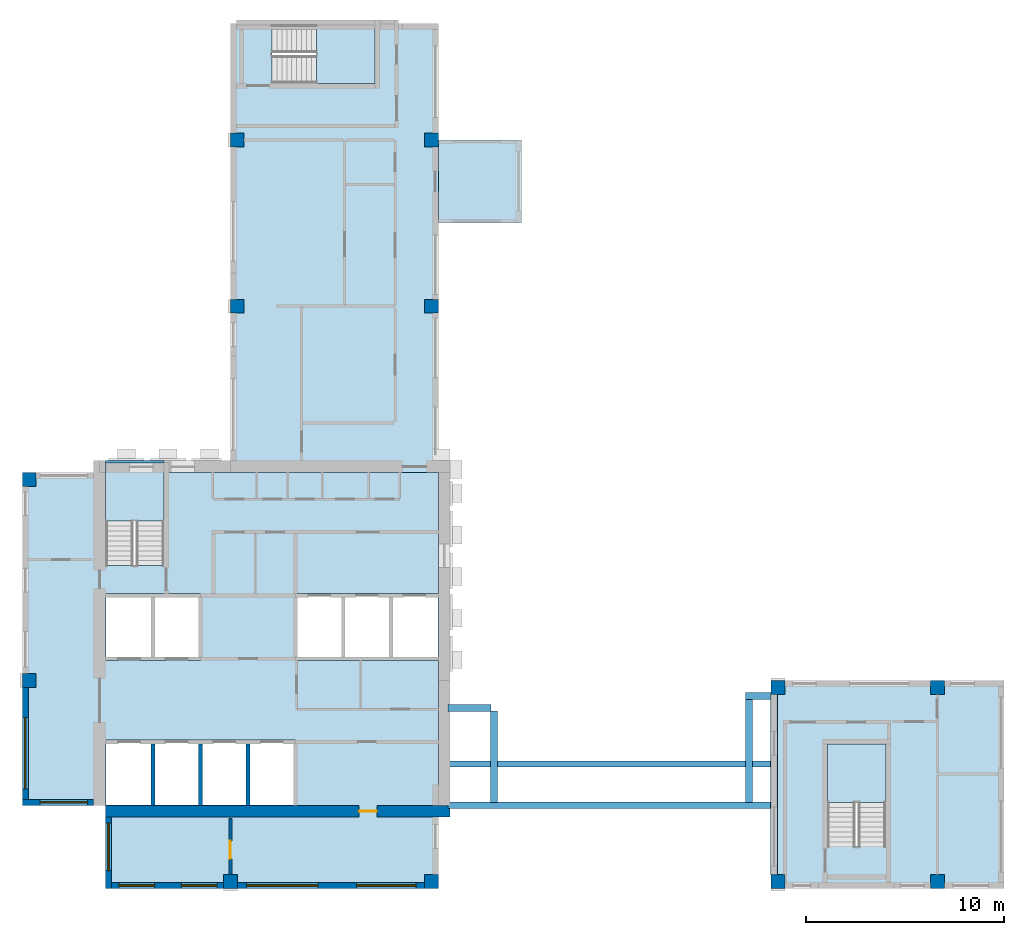
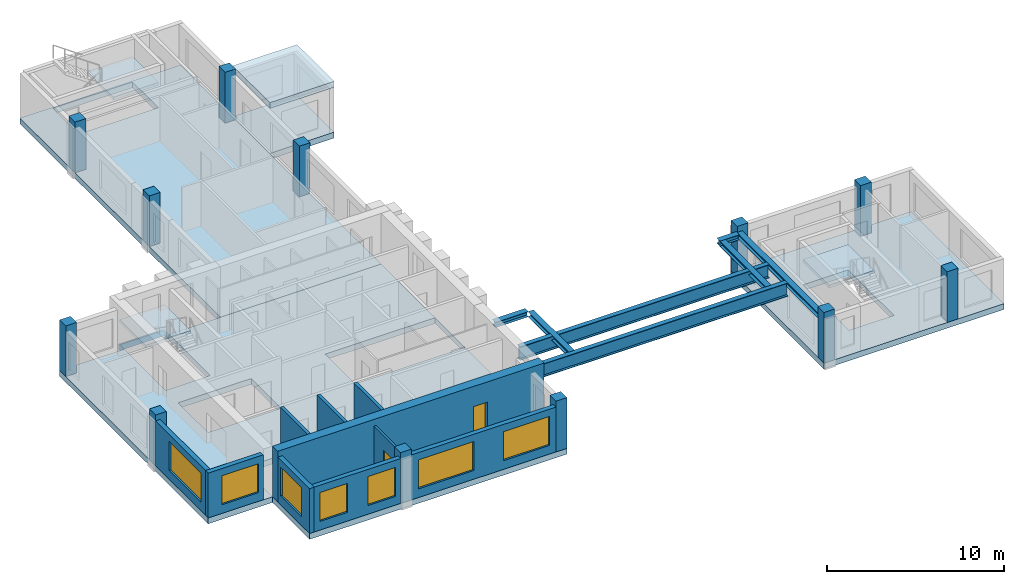
# One storey, part 1 of 8: 12 columns, 10 walls, 9 slabs, 7 beams, 7 windows, 2 doors, 9 openings, 3 elements without a shape of their own.
"""IFC4 building model written with IfcOpenShell, lengths in metres."""

from ifc_helpers import new_model, si_unit, direction, frame, frame_2d, origin, origin_2d, place, context, subcontext, project, spatial, polyline, rectangle, i_section, outline, extrude, source, transform, mapped, material, layer, layer_set, material_profile, profile_set, type_object, element, fill, aggregate, save


model = new_model("IFC4")

# Units and contexts
model_context = context("Model", 3, precision=1e-05, world=origin(), true_north=direction((0.0, 1.0)))
body_context = subcontext(model_context, "Body", "Model", "MODEL_VIEW")
ifc_project = project(units=[si_unit("LENGTHUNIT", "METRE"), si_unit("AREAUNIT", "SQUARE_METRE"), si_unit("VOLUMEUNIT", "CUBIC_METRE"), si_unit("PLANEANGLEUNIT", "RADIAN"), si_unit("MASSUNIT", "GRAM", prefix="KILO")], contexts=[model_context])

# Site, building, storey
site_placement = place(None, origin())
site = spatial("IfcSite", under=ifc_project, at=site_placement, CompositionType="ELEMENT")
building_placement = place(site_placement, origin())
building = spatial("IfcBuilding", under=site, at=building_placement, Name="Aurelian Terraces", CompositionType="ELEMENT")
storey_placement = place(building_placement, frame((0.0, 0.0, 302.0)))
storey = spatial("IfcBuildingStorey", under=building, at=storey_placement, Name="L69", CompositionType="ELEMENT", Elevation=302.0)

# Columns
ifc_material_1 = material(Name="Concrete fc' 55 MPa", Category="concrete")
ifc_material_profile_1 = material_profile(ifc_material_1, rectangle(XDim=0.7, YDim=0.7, at=origin_2d()))
ifc_profile_set_1 = profile_set([ifc_material_profile_1], Name="Concrete fc' 55 MPa")
column_type = type_object("IfcColumnType", Name="RC COLUMN 700X700 FC55", PredefinedType="COLUMN", material=ifc_profile_set_1)
shared_shape_1 = source(origin(), body_context, "Body", "SweptSolid", [
    extrude(rectangle(XDim=0.7, YDim=0.7, at=origin_2d()), origin(), (0.0, 0.0, 1.0), 3.5),
])
for number, where, z_axis, x_axis, name in (
    (1, (10.5, 0.35, 0.0), (0.0, 0.0, 1.0), (1.0, 0.0, 0.0), "Column 2/A L69"),
    (2, (20.65, 0.35, 0.0), (0.0, 0.0, 1.0), (1.0, 0.0, 0.0), "Column 3/A L69"),
    (3, (38.15, 0.35, 0.0), (0.0, 0.0, 1.0), (1.0, 0.0, 0.0), "Column 5/A L69"),
    (4, (46.2, 0.35, 0.0), (0.0, 0.0, 1.0), (1.0, 0.0, 0.0), "Column 6/A L69"),
    (5, (0.35, 10.5, 0.0), (0.0, 0.0, 1.0), (1.0, 0.0, 0.0), "Column 1/B L69"),
    (6, (38.15, 10.15, 0.0), (0.0, 0.0, 1.0), (1.0, 0.0, 0.0), "Column 5/B L69"),
    (7, (46.2, 10.15, 0.0), (0.0, 0.0, 1.0), (1.0, 0.0, 0.0), "Column 6/B L69"),
    (8, (0.35, 20.65, 0.0), (0.0, 0.0, 1.0), (1.0, 0.0, 0.0), "Column 1/C L69"),
    (9, (10.85, 29.4, 0.0), (0.0, 0.0, 1.0), (1.0, 0.0, 0.0), "Column 2/D L69"),
    (10, (20.65, 29.4, 0.0), (0.0, 0.0, 1.0), (1.0, 0.0, 0.0), "Column 3/D L69"),
    (11, (10.85, 37.8, 0.0), (0.0, 0.0, 1.0), (1.0, 0.0, 0.0), "Column 2/E L69"),
    (12, (20.65, 37.8, 0.0), (0.0, 0.0, 1.0), (1.0, 0.0, 0.0), "Column 3/E L69"),
):
    element("IfcColumn", number, at=place(storey_placement, frame(where, z_axis=z_axis, x_axis=x_axis)), inside=storey, type_object=column_type, Name=name, PredefinedType="COLUMN", context=body_context, shape_type="MappedRepresentation", body=[
        mapped(shared_shape_1, transform((0.0, 0.0, 0.0), scale=1.0)),
    ])

# Beams
ifc_material_2 = material(Name="Steel ASTM A992 Gr50", Category="steel")
ifc_material_profile_2 = material_profile(ifc_material_2, i_section(OverallWidth=0.3688, OverallDepth=0.3561, WebThickness=0.0112, FlangeThickness=0.018, at=origin_2d()))
ifc_profile_set_2 = profile_set([ifc_material_profile_2], Name="Steel ASTM A992 Gr50")
beam_type_1 = type_object("IfcBeamType", Name="PC904 PORTAL CHORD W14X90", PredefinedType="BEAM", material=ifc_profile_set_2)
beam_1_placement = place(storey_placement, frame((23.8156, 4.3378, 2.9218), z_axis=(0.0, 1.0, 0.0), x_axis=(-1.0, 0.0, 0.0)))
element("IfcBeam", 13, at=beam_1_placement, inside=storey, type_object=beam_type_1, Name="Link leg beam L70", PredefinedType="BEAM", context=body_context, shape_type="SweptSolid", body=[
    extrude(i_section(OverallWidth=0.3688, OverallDepth=0.3561, WebThickness=0.0112, FlangeThickness=0.018, at=origin_2d()), origin(), (0.0, 0.0, 1.0), 4.6134),
])
beam_2_placement = place(storey_placement, frame((36.6844, 4.3378, 2.9218), z_axis=(0.0, 1.0, 0.0), x_axis=(-1.0, 0.0, 0.0)))
element("IfcBeam", 14, at=beam_2_placement, inside=storey, type_object=beam_type_1, Name="Link pod leg beam L70", PredefinedType="BEAM", context=body_context, shape_type="SweptSolid", body=[
    extrude(i_section(OverallWidth=0.3688, OverallDepth=0.3561, WebThickness=0.0112, FlangeThickness=0.018, at=origin_2d()), origin(), (0.0, 0.0, 1.0), 5.2134),
])
ifc_material_profile_3 = material_profile(ifc_material_2, i_section(OverallWidth=0.3077, OverallDepth=0.9268, WebThickness=0.0194, FlangeThickness=0.032, at=origin_2d()))
ifc_profile_set_3 = profile_set([ifc_material_profile_3], Name="Steel ASTM A992 Gr50")
beam_type_2 = type_object("IfcBeamType", Name="PC903 PORTAL CHORD W36X194", PredefinedType="BEAM", material=ifc_profile_set_3)
shared_shape_2 = source(origin(), body_context, "Body", "SweptSolid", [
    extrude(i_section(OverallWidth=0.3077, OverallDepth=0.9268, WebThickness=0.0194, FlangeThickness=0.032, at=origin_2d()), origin(), (0.0, 0.0, 1.0), 16.2856),
])
for number, where, z_axis, x_axis, name in (
    (15, (21.5, 4.2039, 2.6364), (1.0, 0.0, 0.0), (0.0, 1.0, 0.0), "Link girder south L70"),
    (16, (21.5, 6.2961, 2.6364), (1.0, 0.0, 0.0), (0.0, 1.0, 0.0), "Link girder north L70"),
):
    element("IfcBeam", number, at=place(storey_placement, frame(where, z_axis=z_axis, x_axis=x_axis)), inside=storey, type_object=beam_type_2, Name=name, PredefinedType="BEAM", context=body_context, shape_type="MappedRepresentation", body=[
        mapped(shared_shape_2, transform((0.0, 0.0, 0.0), scale=1.0)),
    ])
shared_shape_3 = source(origin(), body_context, "Body", "SweptSolid", [
    extrude(i_section(OverallWidth=0.3688, OverallDepth=0.3561, WebThickness=0.0112, FlangeThickness=0.018, at=origin_2d()), origin(), (0.0, 0.0, 1.0), 9.14),
])
beam_3_placement = place(storey_placement, frame((37.95, 0.68, 2.9218), z_axis=(0.0, 1.0, 0.0), x_axis=(-1.0, 0.0, 0.0)))
element("IfcBeam", 17, at=beam_3_placement, inside=storey, type_object=beam_type_1, Name="Link edge beam L70", PredefinedType="BEAM", context=body_context, shape_type="MappedRepresentation", body=[
    mapped(shared_shape_3, transform((0.0, 0.0, 0.0), scale=1.0)),
])
shared_shape_4 = source(origin(), body_context, "Body", "SweptSolid", [
    extrude(i_section(OverallWidth=0.3688, OverallDepth=0.3561, WebThickness=0.0112, FlangeThickness=0.018, at=origin_2d()), origin(), (0.0, 0.0, 1.0), 2.1512),
])
beam_4_placement = place(storey_placement, frame((21.5, 9.1156, 2.9218), z_axis=(1.0, 0.0, 0.0), x_axis=(0.0, 1.0, 0.0)))
element("IfcBeam", 18, at=beam_4_placement, inside=storey, type_object=beam_type_1, Name="Link leg cross beam L70", PredefinedType="BEAM", context=body_context, shape_type="MappedRepresentation", body=[
    mapped(shared_shape_4, transform((0.0, 0.0, 0.0), scale=1.0)),
])
shared_shape_5 = source(origin(), body_context, "Body", "SweptSolid", [
    extrude(i_section(OverallWidth=0.3688, OverallDepth=0.3561, WebThickness=0.0112, FlangeThickness=0.018, at=origin_2d()), origin(), (0.0, 0.0, 1.0), 1.2656),
])
beam_5_placement = place(storey_placement, frame((36.52, 9.7156, 2.9218), z_axis=(1.0, 0.0, 0.0), x_axis=(0.0, 1.0, 0.0)))
element("IfcBeam", 19, at=beam_5_placement, inside=storey, type_object=beam_type_1, Name="Link pod leg cross beam L70", PredefinedType="BEAM", context=body_context, shape_type="MappedRepresentation", body=[
    mapped(shared_shape_5, transform((0.0, 0.0, 0.0), scale=1.0)),
])

# Slabs
ifc_material_3 = material(Name="Concrete fc' 40 MPa", Category="concrete")
ifc_layer_1 = layer(ifc_material_3, 0.4)
ifc_layer_set_1 = layer_set([ifc_layer_1], Name="PT FLAT PLATE 400")
slab_type_1 = type_object("IfcSlabType", Name="PT FLAT PLATE 400", PredefinedType="FLOOR", material=ifc_layer_set_1)
shared_shape_6 = source(origin(), body_context, "Body", "SweptSolid", [
    extrude(outline(polyline([(10.5, 43.68), (14.7, 43.68), (16.8, 43.68), (21.0, 43.68), (21.0, 21.0), (10.5, 21.0), (10.5, 43.68)]), holes=[polyline([(17.79, 43.59), (12.61, 43.59), (12.61, 40.66), (17.79, 40.66), (17.79, 43.59)])]), origin(), (0.0, 0.0, 1.0), 0.4),
])
slab_1_placement = place(storey_placement, frame((0.0, 0.0, -0.4)))
element("IfcSlab", 20, at=slab_1_placement, inside=storey, type_object=slab_type_1, Name="Floor slab W L69", PredefinedType="FLOOR", context=body_context, shape_type="MappedRepresentation", body=[
    mapped(shared_shape_6, transform((0.0, 0.0, 0.0), scale=1.0)),
])
shared_shape_7 = source(origin(), body_context, "Body", "SweptSolid", [
    extrude(outline(polyline([(4.2, 21.0), (4.2, 21.6), (7.15, 21.6), (7.15, 21.0), (7.14, 21.0), (7.14, 21.49), (4.21, 21.49), (4.21, 21.0), (4.2, 21.0)])), origin(), (0.0, 0.0, 1.0), 0.4),
])
slab_2_placement = place(storey_placement, frame((0.0, 0.0, -0.4)))
element("IfcSlab", 21, at=slab_2_placement, inside=storey, type_object=slab_type_1, Name="Floor slab W2 L69", PredefinedType="FLOOR", context=body_context, shape_type="MappedRepresentation", body=[
    mapped(shared_shape_7, transform((0.0, 0.0, 0.0), scale=1.0)),
])
shared_shape_8 = source(origin(), body_context, "Body", "SweptSolid", [
    extrude(outline(polyline([(4.2, 4.2), (0.0, 4.2), (0.0, 10.5), (0.0, 21.0), (4.21, 21.0), (4.21, 16.31), (7.14, 16.31), (7.14, 21.0), (21.0, 21.0), (21.0, 10.5), (21.0, 0.0), (4.2, 0.0), (4.2, 4.2)]), holes=[polyline([(13.81, 14.89), (13.81, 11.51), (20.99, 11.51), (20.99, 14.89), (13.81, 14.89)]), polyline([(4.21, 7.49), (4.21, 4.21), (13.79, 4.21), (13.79, 7.49), (4.21, 7.49)]), polyline([(8.99, 11.51), (8.99, 14.89), (4.21, 14.89), (4.21, 11.51), (8.99, 11.51)])]), origin(), (0.0, 0.0, 1.0), 0.4),
])
slab_3_placement = place(storey_placement, frame((0.0, 0.0, -0.4)))
element("IfcSlab", 22, at=slab_3_placement, inside=storey, type_object=slab_type_1, Name="Floor slab S L69", PredefinedType="FLOOR", context=body_context, shape_type="MappedRepresentation", body=[
    mapped(shared_shape_8, transform((0.0, 0.0, 0.0), scale=1.0)),
])
shared_shape_9 = source(origin(), body_context, "Body", "SweptSolid", [
    extrude(outline(polyline([(37.8, 10.5), (49.56, 10.5), (49.56, 6.3), (49.56, 4.2), (49.56, 0.0), (37.8, 0.0), (37.8, 10.5)]), holes=[polyline([(40.66, 2.11), (43.59, 2.11), (43.59, 7.29), (40.66, 7.29), (40.66, 2.11)])]), origin(), (0.0, 0.0, 1.0), 0.4),
])
slab_4_placement = place(storey_placement, frame((0.0, 0.0, -0.4)))
element("IfcSlab", 23, at=slab_4_placement, inside=storey, type_object=slab_type_1, Name="Floor slab S2 L69", PredefinedType="FLOOR", context=body_context, shape_type="MappedRepresentation", body=[
    mapped(shared_shape_9, transform((0.0, 0.0, 0.0), scale=1.0)),
])
ifc_layer_2 = layer(ifc_material_3, 0.41)
ifc_layer_set_2 = layer_set([ifc_layer_2], Name="Box floor 410")
slab_type_2 = type_object("IfcSlabType", Name="Box floor 410", PredefinedType="NOTDEFINED", material=ifc_layer_set_2)
shared_shape_10 = source(origin(), body_context, "Body", "SweptSolid", [
    extrude(outline(polyline([(25.2, 33.6), (25.2, 37.8), (21.0, 37.8), (21.0, 33.6), (25.2, 33.6)])), origin(), (0.0, 0.0, 1.0), 0.41),
])
slab_5_placement = place(storey_placement, frame((0.0, 0.0, -0.41)))
element("IfcSlab", 24, at=slab_5_placement, inside=storey, type_object=slab_type_2, Name="Box floor L69 J90", PredefinedType="NOTDEFINED", context=body_context, shape_type="MappedRepresentation", body=[
    mapped(shared_shape_10, transform((0.0, 0.0, 0.0), scale=1.0)),
])
ifc_layer_3 = layer(ifc_material_3, 0.4)
ifc_layer_set_3 = layer_set([ifc_layer_3], Name="Box roof 400")
slab_type_3 = type_object("IfcSlabType", Name="Box roof 400", PredefinedType="ROOF", material=ifc_layer_set_3)
shared_shape_11 = source(origin(), body_context, "Body", "SweptSolid", [
    extrude(outline(polyline([(25.2, 33.6), (25.2, 37.8), (21.0, 37.8), (21.0, 33.6), (25.2, 33.6)])), origin(), (0.0, 0.0, 1.0), 0.4),
])
slab_6_placement = place(storey_placement, frame((0.0, 0.0, 3.1)))
element("IfcSlab", 25, at=slab_6_placement, inside=storey, type_object=slab_type_3, Name="Box roof J90", PredefinedType="ROOF", context=body_context, shape_type="MappedRepresentation", body=[
    mapped(shared_shape_11, transform((0.0, 0.0, 0.0), scale=1.0)),
])

# Stair, slab
stair_type = type_object("IfcStairType", Name="Stair 1400", PredefinedType="HALF_TURN_STAIR", material=ifc_material_3)
stair_1_placement = place(storey_placement, origin())
stair_1 = element("IfcStair", 26, at=stair_1_placement, inside=storey, type_object=stair_type, Name="L69 S1", PredefinedType="HALF_TURN_STAIR")
ifc_layer_4 = layer(ifc_material_3, 0.2)
ifc_layer_set_4 = layer_set([ifc_layer_4], Name="Stair landing 200")
slab_type_4 = type_object("IfcSlabType", Name="Stair landing 200", PredefinedType="LANDING", material=ifc_layer_set_4)
shared_shape_12 = source(origin(), body_context, "Body", "SweptSolid", [
    extrude(outline(polyline([(7.15, 18.55), (7.15, 21.5), (4.2, 21.5), (4.2, 18.55), (7.15, 18.55)])), origin(), (0.0, 0.0, 1.0), 0.2),
])
slab_7_placement = place(storey_placement, frame((0.0, 0.0, 1.55)))
slab_7 = element("IfcSlab", 27, at=slab_7_placement, type_object=slab_type_4, Name="S1 landing 1", PredefinedType="LANDING", context=body_context, shape_type="MappedRepresentation", body=[
    mapped(shared_shape_12, transform((0.0, 0.0, 0.0), scale=1.0)),
])
aggregate(stair_1, [slab_7])

stair_2_placement = place(storey_placement, origin())
stair_2 = element("IfcStair", 28, at=stair_2_placement, inside=storey, type_object=stair_type, Name="L69 S2", PredefinedType="HALF_TURN_STAIR")
shared_shape_13 = source(origin(), body_context, "Body", "SweptSolid", [
    extrude(outline(polyline([(43.6, 4.35), (43.6, 7.3), (40.65, 7.3), (40.65, 4.35), (43.6, 4.35)])), origin(), (0.0, 0.0, 1.0), 0.2),
])
slab_8_placement = place(storey_placement, frame((0.0, 0.0, 1.55)))
slab_8 = element("IfcSlab", 29, at=slab_8_placement, type_object=slab_type_4, Name="S2 landing 1", PredefinedType="LANDING", context=body_context, shape_type="MappedRepresentation", body=[
    mapped(shared_shape_13, transform((0.0, 0.0, 0.0), scale=1.0)),
])
aggregate(stair_2, [slab_8])

stair_3_placement = place(storey_placement, origin())
stair_3 = element("IfcStair", 30, at=stair_3_placement, inside=storey, type_object=stair_type, Name="L69 S3U", PredefinedType="HALF_TURN_STAIR")
shared_shape_14 = source(origin(), body_context, "Body", "SweptSolid", [
    extrude(outline(polyline([(14.85, 40.65), (17.8, 40.65), (17.8, 43.6), (14.85, 43.6), (14.85, 40.65)])), origin(), (0.0, 0.0, 1.0), 0.2),
])
slab_9_placement = place(storey_placement, frame((0.0, 0.0, 1.55)))
slab_9 = element("IfcSlab", 31, at=slab_9_placement, type_object=slab_type_4, Name="S3U landing 1", PredefinedType="LANDING", context=body_context, shape_type="MappedRepresentation", body=[
    mapped(shared_shape_14, transform((0.0, 0.0, 0.0), scale=1.0)),
])
aggregate(stair_3, [slab_9])

# Wall, opening, door
ifc_layer_5 = layer(ifc_material_1, 0.6)
ifc_layer_set_5 = layer_set([ifc_layer_5], Name="CORE WALL 600 FC55")
wall_type_1 = type_object("IfcWallType", Name="CORE WALL 600 FC55", PredefinedType="SHEAR", material=ifc_layer_set_5)
shared_shape_15 = source(origin(), body_context, "Body", "SweptSolid", [
    extrude(rectangle(XDim=17.4, YDim=0.6, at=frame_2d((8.7, 0.0))), origin(), (0.0, 0.0, 1.0), 3.5),
])
wall_1_placement = place(storey_placement, frame((4.2, 3.9, 0.0), z_axis=(0.0, 0.0, 1.0), x_axis=(1.0, 0.0, 0.0)))
wall_1 = element("IfcWall", 32, at=wall_1_placement, inside=storey, type_object=wall_type_1, Name="Core wall S L69", PredefinedType="SHEAR", context=body_context, shape_type="MappedRepresentation", body=[
    mapped(shared_shape_15, transform((0.0, 0.0, 0.0), scale=1.0)),
])
shared_shape_16 = source(origin(), body_context, "Body", "SweptSolid", [
    extrude(rectangle(XDim=0.9, YDim=2.1, at=frame_2d((0.45, 1.05))), frame((0.0, 0.31, 0.0), z_axis=(0.0, -1.0, 0.0), x_axis=(1.0, 0.0, 0.0)), (0.0, 0.0, 1.0), 0.62),
])
opening_1_placement = place(wall_1_placement, frame((12.8, 0.0, 0.0)))
opening_1 = element("IfcOpeningElement", 33, at=opening_1_placement, cuts=wall_1, Name="Opening 67230", PredefinedType="OPENING", context=body_context, shape_type="MappedRepresentation", body=[
    mapped(shared_shape_16, transform((0.0, 0.0, 0.0), scale=1.0)),
])
ifc_material_4 = material(Name="Steel door leaf", Category="steel")
door_type_1 = type_object("IfcDoorType", Name="Core service door 900x2100", OperationType="SINGLE_SWING_LEFT", PredefinedType="DOOR", material=ifc_material_4)
shared_shape_17 = source(origin(), body_context, "Body", "SweptSolid", [
    extrude(rectangle(XDim=0.9, YDim=2.1, at=frame_2d((0.45, 1.05))), frame((0.0, 0.025, 0.0), z_axis=(0.0, -1.0, 0.0), x_axis=(1.0, 0.0, 0.0)), (0.0, 0.0, 1.0), 0.05),
])
door_1_placement = place(opening_1_placement, origin())
door_1 = element("IfcDoor", 34, at=door_1_placement, inside=storey, type_object=door_type_1, Name="Core door 67230", OperationType="SINGLE_SWING_LEFT", OverallHeight=2.1, OverallWidth=0.9, PredefinedType="DOOR", context=body_context, shape_type="MappedRepresentation", body=[
    mapped(shared_shape_17, transform((0.0, 0.0, 0.0), scale=1.0)),
])
fill(opening_1, door_1)

# Wall, opening, window
ifc_material_5 = material(Name="Terracotta rainscreen cladding", Category="masonry")
ifc_layer_6 = layer(ifc_material_5, 0.3)
ifc_layer_set_6 = layer_set([ifc_layer_6], Name="EW-300")
wall_type_2 = type_object("IfcWallType", Name="EW-300", PredefinedType="STANDARD", material=ifc_layer_set_6)
shared_shape_18 = source(origin(), body_context, "Body", "SweptSolid", [
    extrude(rectangle(XDim=3.6, YDim=0.3, at=frame_2d((1.8, 0.0))), origin(), (0.0, 0.0, 1.0), 3.1),
])
wall_2_placement = place(storey_placement, frame((0.0, 4.35, 0.0), z_axis=(0.0, 0.0, 1.0), x_axis=(1.0, 0.0, 0.0)))
wall_2 = element("IfcWall", 35, at=wall_2_placement, inside=storey, type_object=wall_type_2, Name="External wall L69 F11.19", PredefinedType="STANDARD", context=body_context, shape_type="MappedRepresentation", body=[
    mapped(shared_shape_18, transform((0.0, 0.0, 0.0), scale=1.0)),
])
shared_shape_19 = source(origin(), body_context, "Body", "SweptSolid", [
    extrude(rectangle(XDim=2.4, YDim=2.0, at=frame_2d((1.2, 1.0))), frame((0.0, 0.16, 0.0), z_axis=(0.0, -1.0, 0.0), x_axis=(1.0, 0.0, 0.0)), (0.0, 0.0, 1.0), 0.32),
])
opening_2_placement = place(wall_2_placement, frame((0.9, 0.0, 0.6)))
opening_2 = element("IfcOpeningElement", 36, at=opening_2_placement, cuts=wall_2, Name="Opening W2420", PredefinedType="OPENING", context=body_context, shape_type="MappedRepresentation", body=[
    mapped(shared_shape_19, transform((0.0, 0.0, 0.0), scale=1.0)),
])
ifc_material_6 = material(Name="Clear glazing", Category="glass")
window_type_1 = type_object("IfcWindowType", Name="W-2400x2000", PartitioningType="SINGLE_PANEL", PredefinedType="WINDOW", material=ifc_material_6)
shared_shape_20 = source(origin(), body_context, "Body", "SweptSolid", [
    extrude(rectangle(XDim=2.4, YDim=2.0, at=frame_2d((1.2, 1.0))), frame((0.0, 0.03, 0.0), z_axis=(0.0, -1.0, 0.0), x_axis=(1.0, 0.0, 0.0)), (0.0, 0.0, 1.0), 0.06),
])
window_1_placement = place(opening_2_placement, origin())
window_1 = element("IfcWindow", 37, at=window_1_placement, inside=storey, type_object=window_type_1, Name="Window L69 L69-F11-19-0", OverallHeight=2.0, OverallWidth=2.4, PartitioningType="SINGLE_PANEL", PredefinedType="WINDOW", context=body_context, shape_type="MappedRepresentation", body=[
    mapped(shared_shape_20, transform((0.0, 0.0, 0.0), scale=1.0)),
])
fill(opening_2, window_1)

wall_3_placement = place(storey_placement, frame((4.35, 3.6, 0.0), z_axis=(0.0, 0.0, 1.0), x_axis=(0.0, -1.0, 0.0)))
wall_3 = element("IfcWall", 38, at=wall_3_placement, inside=storey, type_object=wall_type_2, Name="External wall L69 F12.20", PredefinedType="STANDARD", context=body_context, shape_type="MappedRepresentation", body=[
    mapped(shared_shape_18, transform((0.0, 0.0, 0.0), scale=1.0)),
])
opening_3_placement = place(wall_3_placement, frame((0.3, 0.0, 0.6)))
opening_3 = element("IfcOpeningElement", 39, at=opening_3_placement, cuts=wall_3, Name="Opening W2420", PredefinedType="OPENING", context=body_context, shape_type="MappedRepresentation", body=[
    mapped(shared_shape_19, transform((0.0, 0.0, 0.0), scale=1.0)),
])
window_2_placement = place(opening_3_placement, origin())
window_2 = element("IfcWindow", 40, at=window_2_placement, inside=storey, type_object=window_type_1, Name="Window L69 L69-F12-20-0", OverallHeight=2.0, OverallWidth=2.4, PartitioningType="SINGLE_PANEL", PredefinedType="WINDOW", context=body_context, shape_type="MappedRepresentation", body=[
    mapped(shared_shape_20, transform((0.0, 0.0, 0.0), scale=1.0)),
])
fill(opening_3, window_2)

# Wall, openings, windows
shared_shape_21 = source(origin(), body_context, "Body", "SweptSolid", [
    extrude(rectangle(XDim=5.95, YDim=0.3, at=frame_2d((2.975, 0.0))), origin(), (0.0, 0.0, 1.0), 3.1),
])
wall_4_placement = place(storey_placement, frame((4.2, 0.15, 0.0), z_axis=(0.0, 0.0, 1.0), x_axis=(1.0, 0.0, 0.0)))
wall_4 = element("IfcWall", 41, at=wall_4_placement, inside=storey, type_object=wall_type_2, Name="External wall L69 F01.1", PredefinedType="STANDARD", context=body_context, shape_type="MappedRepresentation", body=[
    mapped(shared_shape_21, transform((0.0, 0.0, 0.0), scale=1.0)),
])
shared_shape_22 = source(origin(), body_context, "Body", "SweptSolid", [
    extrude(rectangle(XDim=1.8, YDim=2.0, at=frame_2d((0.9, 1.0))), frame((0.0, 0.16, 0.0), z_axis=(0.0, -1.0, 0.0), x_axis=(1.0, 0.0, 0.0)), (0.0, 0.0, 1.0), 0.32),
])
opening_4_placement = place(wall_4_placement, frame((0.675, 0.0, 0.6)))
opening_4 = element("IfcOpeningElement", 42, at=opening_4_placement, cuts=wall_4, Name="Opening W1820", PredefinedType="OPENING", context=body_context, shape_type="MappedRepresentation", body=[
    mapped(shared_shape_22, transform((0.0, 0.0, 0.0), scale=1.0)),
])
opening_5_placement = place(wall_4_placement, frame((3.825, 0.0, 0.6)))
opening_5 = element("IfcOpeningElement", 43, at=opening_5_placement, cuts=wall_4, Name="Opening W1820", PredefinedType="OPENING", context=body_context, shape_type="MappedRepresentation", body=[
    mapped(shared_shape_22, transform((0.0, 0.0, 0.0), scale=1.0)),
])
window_type_2 = type_object("IfcWindowType", Name="W-1800x2000", PartitioningType="SINGLE_PANEL", PredefinedType="WINDOW", material=ifc_material_6)
shared_shape_23 = source(origin(), body_context, "Body", "SweptSolid", [
    extrude(rectangle(XDim=1.8, YDim=2.0, at=frame_2d((0.9, 1.0))), frame((0.0, 0.03, 0.0), z_axis=(0.0, -1.0, 0.0), x_axis=(1.0, 0.0, 0.0)), (0.0, 0.0, 1.0), 0.06),
])
window_3_placement = place(opening_4_placement, origin())
window_3 = element("IfcWindow", 44, at=window_3_placement, inside=storey, type_object=window_type_2, Name="Window L69 L69-F01-01-0", OverallHeight=2.0, OverallWidth=1.8, PartitioningType="SINGLE_PANEL", PredefinedType="WINDOW", context=body_context, shape_type="MappedRepresentation", body=[
    mapped(shared_shape_23, transform((0.0, 0.0, 0.0), scale=1.0)),
])
fill(opening_4, window_3)
window_4_placement = place(opening_5_placement, origin())
window_4 = element("IfcWindow", 45, at=window_4_placement, inside=storey, type_object=window_type_2, Name="Window L69 L69-F01-01-1", OverallHeight=2.0, OverallWidth=1.8, PartitioningType="SINGLE_PANEL", PredefinedType="WINDOW", context=body_context, shape_type="MappedRepresentation", body=[
    mapped(shared_shape_23, transform((0.0, 0.0, 0.0), scale=1.0)),
])
fill(opening_5, window_4)

# Wall, opening, window
wall_5_placement = place(storey_placement, frame((0.15, 10.15, 0.0), z_axis=(0.0, 0.0, 1.0), x_axis=(0.0, -1.0, 0.0)))
wall_5 = element("IfcWall", 46, at=wall_5_placement, inside=storey, type_object=wall_type_2, Name="External wall L69 F10.18", PredefinedType="STANDARD", context=body_context, shape_type="MappedRepresentation", body=[
    mapped(shared_shape_21, transform((0.0, 0.0, 0.0), scale=1.0)),
])
shared_shape_24 = source(origin(), body_context, "Body", "SweptSolid", [
    extrude(rectangle(XDim=3.6, YDim=2.0, at=frame_2d((1.8, 1.0))), frame((0.0, 0.16, 0.0), z_axis=(0.0, -1.0, 0.0), x_axis=(1.0, 0.0, 0.0)), (0.0, 0.0, 1.0), 0.32),
])
opening_6_placement = place(wall_5_placement, frame((1.525, 0.0, 0.6)))
opening_6 = element("IfcOpeningElement", 47, at=opening_6_placement, cuts=wall_5, Name="Opening W3620", PredefinedType="OPENING", context=body_context, shape_type="MappedRepresentation", body=[
    mapped(shared_shape_24, transform((0.0, 0.0, 0.0), scale=1.0)),
])
window_type_3 = type_object("IfcWindowType", Name="W-3600x2000", PartitioningType="SINGLE_PANEL", PredefinedType="WINDOW", material=ifc_material_6)
shared_shape_25 = source(origin(), body_context, "Body", "SweptSolid", [
    extrude(rectangle(XDim=3.6, YDim=2.0, at=frame_2d((1.8, 1.0))), frame((0.0, 0.03, 0.0), z_axis=(0.0, -1.0, 0.0), x_axis=(1.0, 0.0, 0.0)), (0.0, 0.0, 1.0), 0.06),
])
window_5_placement = place(opening_6_placement, origin())
window_5 = element("IfcWindow", 48, at=window_5_placement, inside=storey, type_object=window_type_3, Name="Window L69 L69-F10-18-3", OverallHeight=2.0, OverallWidth=3.6, PartitioningType="SINGLE_PANEL", PredefinedType="WINDOW", context=body_context, shape_type="MappedRepresentation", body=[
    mapped(shared_shape_25, transform((0.0, 0.0, 0.0), scale=1.0)),
])
fill(opening_6, window_5)

# Wall, openings, windows
shared_shape_26 = source(origin(), body_context, "Body", "SweptSolid", [
    extrude(rectangle(XDim=9.45, YDim=0.3, at=frame_2d((4.725, 0.0))), origin(), (0.0, 0.0, 1.0), 3.1),
])
wall_6_placement = place(storey_placement, frame((10.85, 0.15, 0.0), z_axis=(0.0, 0.0, 1.0), x_axis=(1.0, 0.0, 0.0)))
wall_6 = element("IfcWall", 49, at=wall_6_placement, inside=storey, type_object=wall_type_2, Name="External wall L69 F01.2", PredefinedType="STANDARD", context=body_context, shape_type="MappedRepresentation", body=[
    mapped(shared_shape_26, transform((0.0, 0.0, 0.0), scale=1.0)),
])
opening_7_placement = place(wall_6_placement, frame((0.475, 0.0, 0.6)))
opening_7 = element("IfcOpeningElement", 50, at=opening_7_placement, cuts=wall_6, Name="Opening W3620", PredefinedType="OPENING", context=body_context, shape_type="MappedRepresentation", body=[
    mapped(shared_shape_24, transform((0.0, 0.0, 0.0), scale=1.0)),
])
shared_shape_27 = source(origin(), body_context, "Body", "SweptSolid", [
    extrude(rectangle(XDim=3.0, YDim=2.0, at=frame_2d((1.5, 1.0))), frame((0.0, 0.16, 0.0), z_axis=(0.0, -1.0, 0.0), x_axis=(1.0, 0.0, 0.0)), (0.0, 0.0, 1.0), 0.32),
])
opening_8_placement = place(wall_6_placement, frame((6.025, 0.0, 0.6)))
opening_8 = element("IfcOpeningElement", 51, at=opening_8_placement, cuts=wall_6, Name="Opening W3020", PredefinedType="OPENING", context=body_context, shape_type="MappedRepresentation", body=[
    mapped(shared_shape_27, transform((0.0, 0.0, 0.0), scale=1.0)),
])
window_type_4 = type_object("IfcWindowType", Name="W-3000x2000", PartitioningType="SINGLE_PANEL", PredefinedType="WINDOW", material=ifc_material_6)
shared_shape_28 = source(origin(), body_context, "Body", "SweptSolid", [
    extrude(rectangle(XDim=3.0, YDim=2.0, at=frame_2d((1.5, 1.0))), frame((0.0, 0.03, 0.0), z_axis=(0.0, -1.0, 0.0), x_axis=(1.0, 0.0, 0.0)), (0.0, 0.0, 1.0), 0.06),
])
window_6_placement = place(opening_8_placement, origin())
window_6 = element("IfcWindow", 52, at=window_6_placement, inside=storey, type_object=window_type_4, Name="Window L69 L69-F01-02-1", OverallHeight=2.0, OverallWidth=3.0, PartitioningType="SINGLE_PANEL", PredefinedType="WINDOW", context=body_context, shape_type="MappedRepresentation", body=[
    mapped(shared_shape_28, transform((0.0, 0.0, 0.0), scale=1.0)),
])
fill(opening_8, window_6)
window_7_placement = place(opening_7_placement, origin())
window_7 = element("IfcWindow", 53, at=window_7_placement, inside=storey, type_object=window_type_3, Name="Window L69 L69-F01-02-0", OverallHeight=2.0, OverallWidth=3.6, PartitioningType="SINGLE_PANEL", PredefinedType="WINDOW", context=body_context, shape_type="MappedRepresentation", body=[
    mapped(shared_shape_25, transform((0.0, 0.0, 0.0), scale=1.0)),
])
fill(opening_7, window_7)

# Walls
ifc_layer_7 = layer(ifc_material_3, 0.2)
ifc_layer_set_7 = layer_set([ifc_layer_7], Name="Lift shaft wall 200")
wall_type_3 = type_object("IfcWallType", Name="Lift shaft wall 200", PredefinedType="SOLIDWALL", material=ifc_layer_set_7)
shared_shape_29 = source(origin(), body_context, "Body", "SweptSolid", [
    extrude(rectangle(XDim=3.1, YDim=0.2, at=frame_2d((1.55, 0.0))), origin(), (0.0, 0.0, 1.0), 3.5),
])
for number, where, z_axis, x_axis, name in (
    (54, (6.6, 4.2, 0.0), (0.0, 0.0, 1.0), (0.0, 1.0, 0.0), "L69 core wall CD-A1"),
    (55, (9.0, 4.2, 0.0), (0.0, 0.0, 1.0), (0.0, 1.0, 0.0), "L69 core wall CD-A2"),
    (56, (11.4, 4.2, 0.0), (0.0, 0.0, 1.0), (0.0, 1.0, 0.0), "L69 core wall CD-A3"),
):
    element("IfcWall", number, at=place(storey_placement, frame(where, z_axis=z_axis, x_axis=x_axis)), inside=storey, type_object=wall_type_3, Name=name, PredefinedType="SOLIDWALL", context=body_context, shape_type="MappedRepresentation", body=[
        mapped(shared_shape_29, transform((0.0, 0.0, 0.0), scale=1.0)),
    ])

# Wall, opening, door
ifc_material_7 = material(Name="Gypsum board on steel studs", Category="steel")
ifc_layer_8 = layer(ifc_material_7, 0.15)
ifc_layer_set_8 = layer_set([ifc_layer_8], Name="Partition 150")
wall_type_4 = type_object("IfcWallType", Name="Partition 150", PredefinedType="PARTITIONING", material=ifc_layer_set_8)
shared_shape_30 = source(origin(), body_context, "Body", "SweptSolid", [
    extrude(rectangle(XDim=2.826, YDim=0.15, at=frame_2d((1.413, 0.0))), origin(), (0.0, 0.0, 1.0), 3.1),
])
wall_7_placement = place(storey_placement, frame((10.5, 3.525, 0.0), z_axis=(0.0, 0.0, 1.0), x_axis=(0.0, -1.0, 0.0)))
wall_7 = element("IfcWall", 57, at=wall_7_placement, inside=storey, type_object=wall_type_4, Name="Partition", PredefinedType="PARTITIONING", context=body_context, shape_type="MappedRepresentation", body=[
    mapped(shared_shape_30, transform((0.0, 0.0, 0.0), scale=1.0)),
])
shared_shape_31 = source(origin(), body_context, "Body", "SweptSolid", [
    extrude(rectangle(XDim=0.9, YDim=2.1, at=frame_2d((0.45, 1.05))), frame((0.0, 0.085, 0.0), z_axis=(0.0, -1.0, 0.0), x_axis=(1.0, 0.0, 0.0)), (0.0, 0.0, 1.0), 0.17),
])
opening_9_placement = place(wall_7_placement, frame((1.125, 0.0, 0.0)))
opening_9 = element("IfcOpeningElement", 58, at=opening_9_placement, cuts=wall_7, Name="Opening 769001", PredefinedType="OPENING", context=body_context, shape_type="MappedRepresentation", body=[
    mapped(shared_shape_31, transform((0.0, 0.0, 0.0), scale=1.0)),
])
ifc_material_8 = material(Name="Timber door leaf", Category="wood")
door_type_2 = type_object("IfcDoorType", Name="Room door 900x2100 left", OperationType="SINGLE_SWING_LEFT", PredefinedType="DOOR", material=ifc_material_8)
door_2_placement = place(opening_9_placement, origin())
door_2 = element("IfcDoor", 59, at=door_2_placement, inside=storey, type_object=door_type_2, Name="Door 769001", OperationType="SINGLE_SWING_LEFT", OverallHeight=2.1, OverallWidth=0.9, PredefinedType="DOOR", context=body_context, shape_type="MappedRepresentation", body=[
    mapped(shared_shape_17, transform((0.0, 0.0, 0.0), scale=1.0)),
])
fill(opening_9, door_2)

save(model, "model.ifc")
